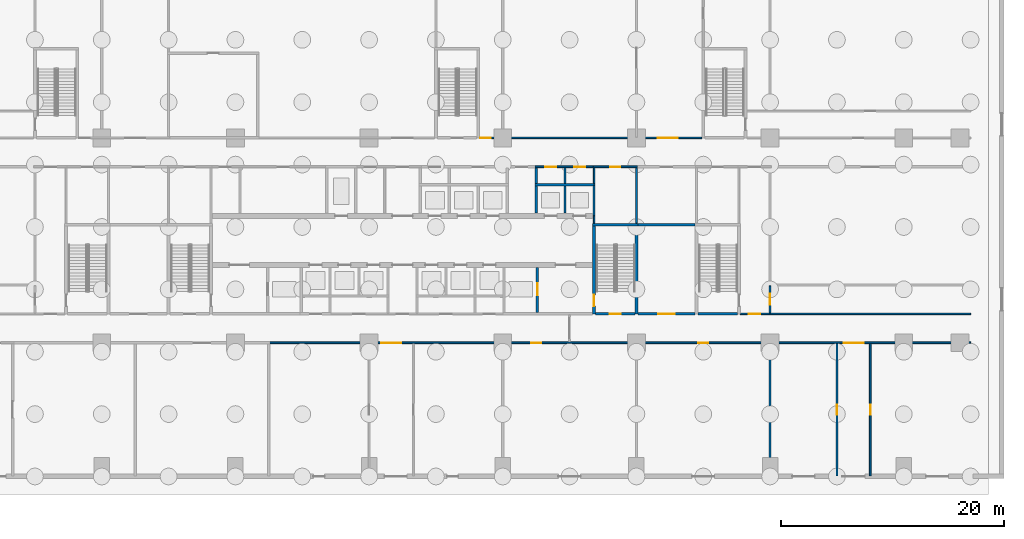
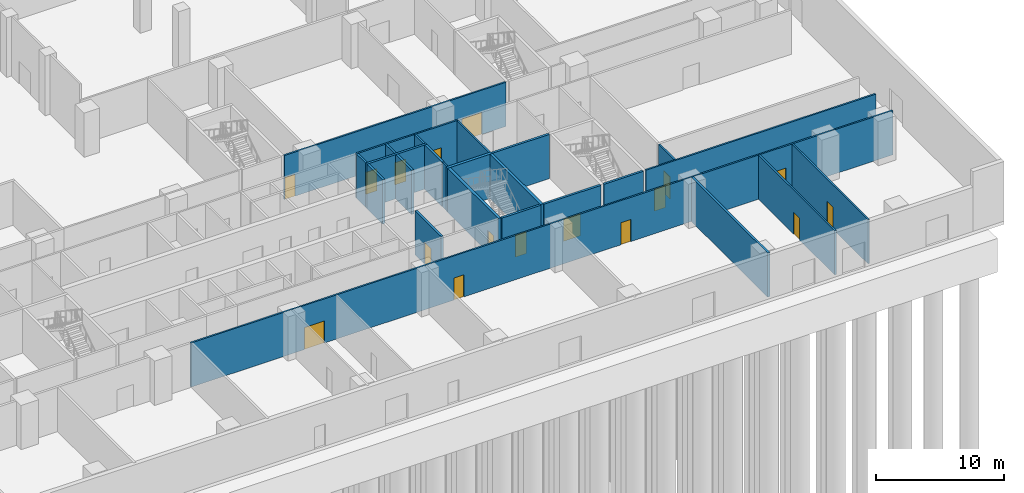
# One storey, part 20 of 27: 26 walls, 17 doors, 17 openings.
"""IFC4 building model written with IfcOpenShell, lengths in metres."""

from ifc_helpers import new_model, si_unit, direction, frame, frame_2d, origin, place, context, subcontext, project, spatial, rectangle, extrude, material, layer, layer_set, type_object, element, fill, save


model = new_model("IFC4")

# Units and contexts
model_context = context("Model", 3, precision=1e-05, world=origin(), true_north=direction((0.0, 1.0)))
body_context = subcontext(model_context, "Body", "Model", "MODEL_VIEW")
ifc_project = project(units=[si_unit("LENGTHUNIT", "METRE"), si_unit("AREAUNIT", "SQUARE_METRE"), si_unit("VOLUMEUNIT", "CUBIC_METRE"), si_unit("PLANEANGLEUNIT", "RADIAN"), si_unit("MASSUNIT", "GRAM", prefix="KILO")], contexts=[model_context])

# Site, building, storey
site_placement = place(None, origin())
site = spatial("IfcSite", under=ifc_project, at=site_placement, CompositionType="ELEMENT")
building_placement = place(site_placement, origin())
building = spatial("IfcBuilding", under=site, at=building_placement, Name="Poui Terraces", CompositionType="ELEMENT")
storey_placement = place(building_placement, origin())
storey = spatial("IfcBuildingStorey", under=building, at=storey_placement, Name="L00", CompositionType="ELEMENT", Elevation=0.0)

# Walls
ifc_material_1 = material(Name="Fire-rated masonry wall", Category="masonry")
ifc_layer_1 = layer(ifc_material_1, 0.199951171875)
ifc_layer_set_1 = layer_set([ifc_layer_1], Name="Fire-rated masonry wall")
wall_type_1 = type_object("IfcWallType", Name="COMPARTMENT WALL 200", PredefinedType="PARTITIONING", material=ifc_layer_set_1)
wall_1_placement = place(storey_placement, frame((65.60009765625, 26.300048828125, 0.0), z_axis=(0.0, 0.0, 1.0), x_axis=(0.0, 1.0, 0.0)))
element("IfcWall", 1, at=wall_1_placement, inside=storey, type_object=wall_type_1, Name="COMPARTMENT WALL 200", PredefinedType="PARTITIONING", context=body_context, shape_type="SweptSolid", body=[
    extrude(rectangle(XDim=1.425048828125, YDim=0.199951171875, at=frame_2d((0.71240234375, 0.0))), origin(), (0.0, 0.0, 1.0), 4.199951171875),
])
wall_2_placement = place(storey_placement, frame((84.0, 0.06005859375, 0.0), z_axis=(0.0, 0.0, 1.0), x_axis=(0.0, 1.0, 0.0)))
element("IfcWall", 2, at=wall_2_placement, inside=storey, type_object=wall_type_1, Name="COMPARTMENT WALL 200", PredefinedType="PARTITIONING", context=body_context, shape_type="SweptSolid", body=[
    extrude(rectangle(XDim=11.864990234375, YDim=0.199951171875, at=frame_2d((5.9326171875, 0.0))), origin(), (0.0, 0.0, 1.0), 4.199951171875),
])

# Wall, openings, doors
ifc_material_2 = material(Name="Fire-rated plasterboard wall")
ifc_layer_2 = layer(ifc_material_2, 0.14990234375)
ifc_layer_set_2 = layer_set([ifc_layer_2], Name="Fire-rated plasterboard wall")
wall_type_2 = type_object("IfcWallType", Name="CORRIDOR WALL 150", PredefinedType="PARTITIONING", material=ifc_layer_set_2)
wall_3_placement = place(storey_placement, frame((38.89990234375, 12.0, 0.0), z_axis=(0.0, 0.0, 1.0), x_axis=(1.0, 0.0, 0.0)))
wall_3 = element("IfcWall", 3, at=wall_3_placement, inside=storey, type_object=wall_type_2, Name="CORRIDOR WALL 150", PredefinedType="PARTITIONING", context=body_context, shape_type="SweptSolid", body=[
    extrude(rectangle(XDim=63.10009765625, YDim=0.14990234375, at=frame_2d((31.550048828125, 0.0))), origin(), (0.0, 0.0, 1.0), 4.199951171875),
])
opening_1_placement = place(wall_3_placement, frame((10.199951171875, 0.0, 0.0)))
opening_1 = element("IfcOpeningElement", 4, at=opening_1_placement, cuts=wall_3, Name="Opening FDD60", PredefinedType="OPENING", context=body_context, shape_type="SweptSolid", body=[
    extrude(rectangle(XDim=1.800048828125, YDim=2.10009765625, at=frame_2d((0.89990234375, 1.050048828125))), frame((0.0, 0.0849609375, 0.0), z_axis=(0.0, -1.0, 0.0), x_axis=(1.0, 0.0, 0.0)), (0.0, 0.0, 1.0), 0.169921875),
])
opening_2_placement = place(wall_3_placement, frame((23.64990234375, 0.0, 0.0)))
opening_2 = element("IfcOpeningElement", 5, at=opening_2_placement, cuts=wall_3, Name="Opening D90", PredefinedType="OPENING", context=body_context, shape_type="SweptSolid", body=[
    extrude(rectangle(XDim=0.89990234375, YDim=2.10009765625, at=frame_2d((0.449951171875, 1.050048828125))), frame((0.0, 0.0849609375, 0.0), z_axis=(0.0, -1.0, 0.0), x_axis=(1.0, 0.0, 0.0)), (0.0, 0.0, 1.0), 0.169921875),
])
opening_3_placement = place(wall_3_placement, frame((38.64990234375, 0.0, 0.0)))
opening_3 = element("IfcOpeningElement", 6, at=opening_3_placement, cuts=wall_3, Name="Opening D90", PredefinedType="OPENING", context=body_context, shape_type="SweptSolid", body=[
    extrude(rectangle(XDim=0.89990234375, YDim=2.10009765625, at=frame_2d((0.449951171875, 1.050048828125))), frame((0.0, 0.0849609375, 0.0), z_axis=(0.0, -1.0, 0.0), x_axis=(1.0, 0.0, 0.0)), (0.0, 0.0, 1.0), 0.169921875),
])
opening_4_placement = place(wall_3_placement, frame((51.699951171875, 0.0, 0.0)))
opening_4 = element("IfcOpeningElement", 7, at=opening_4_placement, cuts=wall_3, Name="Opening FDD60", PredefinedType="OPENING", context=body_context, shape_type="SweptSolid", body=[
    extrude(rectangle(XDim=1.800048828125, YDim=2.10009765625, at=frame_2d((0.89990234375, 1.050048828125))), frame((0.0, 0.0849609375, 0.0), z_axis=(0.0, -1.0, 0.0), x_axis=(1.0, 0.0, 0.0)), (0.0, 0.0, 1.0), 0.169921875),
])
ifc_material_3 = material(Name="Steel fire door", Category="steel")
door_type_1 = type_object("IfcDoorType", Name="DOUBLE LOBBY FIRE DOOR 1800 X 2100", OperationType="DOUBLE_DOOR_SINGLE_SWING", PredefinedType="DOOR", material=ifc_material_3)
door_1_placement = place(opening_1_placement, origin())
door_1 = element("IfcDoor", 8, at=door_1_placement, inside=storey, type_object=door_type_1, Name="DOUBLE LOBBY FIRE DOOR 052", OperationType="DOUBLE_DOOR_SINGLE_SWING", OverallHeight=2.10009765625, OverallWidth=1.800048828125, PredefinedType="DOOR", context=body_context, shape_type="SweptSolid", body=[
    extrude(rectangle(XDim=1.800048828125, YDim=2.10009765625, at=frame_2d((0.89990234375, 1.050048828125))), frame((0.0, 0.02490234375, 0.0), z_axis=(0.0, -1.0, 0.0), x_axis=(1.0, 0.0, 0.0)), (0.0, 0.0, 1.0), 0.050048828125),
])
fill(opening_1, door_1)
door_2_placement = place(opening_4_placement, origin())
door_2 = element("IfcDoor", 9, at=door_2_placement, inside=storey, type_object=door_type_1, Name="DOUBLE LOBBY FIRE DOOR 062", OperationType="DOUBLE_DOOR_SINGLE_SWING", OverallHeight=2.10009765625, OverallWidth=1.800048828125, PredefinedType="DOOR", context=body_context, shape_type="SweptSolid", body=[
    extrude(rectangle(XDim=1.800048828125, YDim=2.10009765625, at=frame_2d((0.89990234375, 1.050048828125))), frame((0.0, 0.02490234375, 0.0), z_axis=(0.0, -1.0, 0.0), x_axis=(1.0, 0.0, 0.0)), (0.0, 0.0, 1.0), 0.050048828125),
])
fill(opening_4, door_2)
ifc_material_4 = material(Name="Solid core timber door", Category="wood")
door_type_2 = type_object("IfcDoorType", Name="INTERNAL DOOR 900 X 2100", OperationType="NOTDEFINED", PredefinedType="DOOR", material=ifc_material_4)
door_3_placement = place(opening_2_placement, origin())
door_3 = element("IfcDoor", 10, at=door_3_placement, inside=storey, type_object=door_type_2, Name="INTERNAL DOOR 056", OperationType="SINGLE_SWING_LEFT", OverallHeight=2.10009765625, OverallWidth=0.89990234375, PredefinedType="DOOR", context=body_context, shape_type="SweptSolid", body=[
    extrude(rectangle(XDim=0.89990234375, YDim=2.10009765625, at=frame_2d((0.449951171875, 1.050048828125))), frame((0.0, 0.02490234375, 0.0), z_axis=(0.0, -1.0, 0.0), x_axis=(1.0, 0.0, 0.0)), (0.0, 0.0, 1.0), 0.050048828125),
])
fill(opening_2, door_3)
door_4_placement = place(opening_3_placement, origin())
door_4 = element("IfcDoor", 11, at=door_4_placement, inside=storey, type_object=door_type_2, Name="INTERNAL DOOR 060", OperationType="SINGLE_SWING_RIGHT", OverallHeight=2.10009765625, OverallWidth=0.89990234375, PredefinedType="DOOR", context=body_context, shape_type="SweptSolid", body=[
    extrude(rectangle(XDim=0.89990234375, YDim=2.10009765625, at=frame_2d((0.449951171875, 1.050048828125))), frame((0.0, 0.02490234375, 0.0), z_axis=(0.0, -1.0, 0.0), x_axis=(1.0, 0.0, 0.0)), (0.0, 0.0, 1.0), 0.050048828125),
])
fill(opening_3, door_4)

# Wall, opening, door
wall_4_placement = place(storey_placement, frame((81.3349609375, 14.60009765625, 0.0), z_axis=(0.0, 0.0, 1.0), x_axis=(1.0, 0.0, 0.0)))
wall_4 = element("IfcWall", 12, at=wall_4_placement, inside=storey, type_object=wall_type_2, Name="CORRIDOR WALL 150", PredefinedType="PARTITIONING", context=body_context, shape_type="SweptSolid", body=[
    extrude(rectangle(XDim=20.6650390625, YDim=0.14990234375, at=frame_2d((10.33251953125, 0.0))), origin(), (0.0, 0.0, 1.0), 4.199951171875),
])
opening_5_placement = place(wall_4_placement, frame((0.764892578125, 0.0, 0.0)))
opening_5 = element("IfcOpeningElement", 13, at=opening_5_placement, cuts=wall_4, Name="Opening FDL", PredefinedType="OPENING", context=body_context, shape_type="SweptSolid", body=[
    extrude(rectangle(XDim=1.0, YDim=2.10009765625, at=frame_2d((0.5, 1.050048828125))), frame((0.0, 0.0849609375, 0.0), z_axis=(0.0, -1.0, 0.0), x_axis=(1.0, 0.0, 0.0)), (0.0, 0.0, 1.0), 0.169921875),
])
door_type_3 = type_object("IfcDoorType", Name="LOBBY FIRE DOOR 1000 X 2100", OperationType="NOTDEFINED", PredefinedType="DOOR", material=ifc_material_3)
door_5_placement = place(opening_5_placement, frame((1.0, 0.0, 0.0), z_axis=(0.0, 0.0, 1.0), x_axis=(-1.0, 0.0, 0.0)))
door_5 = element("IfcDoor", 14, at=door_5_placement, inside=storey, type_object=door_type_3, Name="LOBBY FIRE DOOR 061", OperationType="SINGLE_SWING_RIGHT", OverallHeight=2.10009765625, OverallWidth=1.0, PredefinedType="DOOR", context=body_context, shape_type="SweptSolid", body=[
    extrude(rectangle(XDim=1.0, YDim=2.10009765625, at=frame_2d((0.5, 1.050048828125))), frame((0.0, 0.02490234375, 0.0), z_axis=(0.0, -1.0, 0.0), x_axis=(1.0, 0.0, 0.0)), (0.0, 0.0, 1.0), 0.050048828125),
])
fill(opening_5, door_5)

# Wall, openings, doors
wall_5_placement = place(storey_placement, frame((62.89990234375, 27.800048828125, 0.0), z_axis=(0.0, 0.0, 1.0), x_axis=(1.0, 0.0, 0.0)))
wall_5 = element("IfcWall", 15, at=wall_5_placement, inside=storey, type_object=wall_type_2, Name="CORRIDOR WALL 150", PredefinedType="PARTITIONING", context=body_context, shape_type="SweptSolid", body=[
    extrude(rectangle(XDim=5.375, YDim=0.14990234375, at=frame_2d((2.6875, 0.0))), origin(), (0.0, 0.0, 1.0), 4.199951171875),
])
opening_6_placement = place(wall_5_placement, frame((0.89990234375, 0.0, 0.0)))
opening_6 = element("IfcOpeningElement", 16, at=opening_6_placement, cuts=wall_5, Name="Opening FD60", PredefinedType="OPENING", context=body_context, shape_type="SweptSolid", body=[
    extrude(rectangle(XDim=1.0, YDim=2.10009765625, at=frame_2d((0.5, 1.050048828125))), frame((0.0, 0.0849609375, 0.0), z_axis=(0.0, -1.0, 0.0), x_axis=(1.0, 0.0, 0.0)), (0.0, 0.0, 1.0), 0.169921875),
])
opening_7_placement = place(wall_5_placement, frame((3.5, 0.0, 0.0)))
opening_7 = element("IfcOpeningElement", 17, at=opening_7_placement, cuts=wall_5, Name="Opening FD60", PredefinedType="OPENING", context=body_context, shape_type="SweptSolid", body=[
    extrude(rectangle(XDim=1.0, YDim=2.10009765625, at=frame_2d((0.5, 1.050048828125))), frame((0.0, 0.0849609375, 0.0), z_axis=(0.0, -1.0, 0.0), x_axis=(1.0, 0.0, 0.0)), (0.0, 0.0, 1.0), 0.169921875),
])
door_type_4 = type_object("IfcDoorType", Name="SERVICE ROOM FIRE DOOR 1000 X 2100", OperationType="NOTDEFINED", PredefinedType="DOOR", material=ifc_material_3)
door_6_placement = place(opening_6_placement, origin())
door_6 = element("IfcDoor", 18, at=door_6_placement, inside=storey, type_object=door_type_4, Name="SERVICE ROOM FIRE DOOR 035", OperationType="SINGLE_SWING_RIGHT", OverallHeight=2.10009765625, OverallWidth=1.0, PredefinedType="DOOR", context=body_context, shape_type="SweptSolid", body=[
    extrude(rectangle(XDim=1.0, YDim=2.10009765625, at=frame_2d((0.5, 1.050048828125))), frame((0.0, 0.02490234375, 0.0), z_axis=(0.0, -1.0, 0.0), x_axis=(1.0, 0.0, 0.0)), (0.0, 0.0, 1.0), 0.050048828125),
])
fill(opening_6, door_6)
door_7_placement = place(opening_7_placement, origin())
door_7 = element("IfcDoor", 19, at=door_7_placement, inside=storey, type_object=door_type_4, Name="SERVICE ROOM FIRE DOOR 036", OperationType="SINGLE_SWING_LEFT", OverallHeight=2.10009765625, OverallWidth=1.0, PredefinedType="DOOR", context=body_context, shape_type="SweptSolid", body=[
    extrude(rectangle(XDim=1.0, YDim=2.10009765625, at=frame_2d((0.5, 1.050048828125))), frame((0.0, 0.02490234375, 0.0), z_axis=(0.0, -1.0, 0.0), x_axis=(1.0, 0.0, 0.0)), (0.0, 0.0, 1.0), 0.050048828125),
])
fill(opening_7, door_7)

wall_6_placement = place(storey_placement, frame((57.93505859375, 30.39990234375, 0.0), z_axis=(0.0, 0.0, 1.0), x_axis=(1.0, 0.0, 0.0)))
wall_6 = element("IfcWall", 20, at=wall_6_placement, inside=storey, type_object=wall_type_2, Name="CORRIDOR WALL 150", PredefinedType="PARTITIONING", context=body_context, shape_type="SweptSolid", body=[
    extrude(rectangle(XDim=19.929931640625, YDim=0.14990234375, at=frame_2d((9.96484375, 0.0))), origin(), (0.0, 0.0, 1.0), 4.199951171875),
])
opening_8_placement = place(wall_6_placement, frame((0.06494140625, 0.0, 0.0)))
opening_8 = element("IfcOpeningElement", 21, at=opening_8_placement, cuts=wall_6, Name="Opening D90", PredefinedType="OPENING", context=body_context, shape_type="SweptSolid", body=[
    extrude(rectangle(XDim=0.89990234375, YDim=2.10009765625, at=frame_2d((0.449951171875, 1.050048828125))), frame((0.0, 0.0849609375, 0.0), z_axis=(0.0, -1.0, 0.0), x_axis=(1.0, 0.0, 0.0)), (0.0, 0.0, 1.0), 0.169921875),
])
opening_9_placement = place(wall_6_placement, frame((15.965087890625, 0.0, 0.0)))
opening_9 = element("IfcOpeningElement", 22, at=opening_9_placement, cuts=wall_6, Name="Opening DD180", PredefinedType="OPENING", context=body_context, shape_type="SweptSolid", body=[
    extrude(rectangle(XDim=1.800048828125, YDim=2.10009765625, at=frame_2d((0.89990234375, 1.050048828125))), frame((0.0, 0.0849609375, 0.0), z_axis=(0.0, -1.0, 0.0), x_axis=(1.0, 0.0, 0.0)), (0.0, 0.0, 1.0), 0.169921875),
])
door_type_5 = type_object("IfcDoorType", Name="DOUBLE INTERNAL DOOR 1800 X 2100", OperationType="DOUBLE_DOOR_SINGLE_SWING", PredefinedType="DOOR", material=ifc_material_3)
door_8_placement = place(opening_9_placement, frame((1.800048828125, 0.0, 0.0), z_axis=(0.0, 0.0, 1.0), x_axis=(-1.0, 0.0, 0.0)))
door_8 = element("IfcDoor", 23, at=door_8_placement, inside=storey, type_object=door_type_5, Name="DOUBLE INTERNAL DOOR 039", OperationType="DOUBLE_DOOR_SINGLE_SWING", OverallHeight=2.10009765625, OverallWidth=1.800048828125, PredefinedType="DOOR", context=body_context, shape_type="SweptSolid", body=[
    extrude(rectangle(XDim=1.800048828125, YDim=2.10009765625, at=frame_2d((0.89990234375, 1.050048828125))), frame((0.0, 0.02490234375, 0.0), z_axis=(0.0, -1.0, 0.0), x_axis=(1.0, 0.0, 0.0)), (0.0, 0.0, 1.0), 0.050048828125),
])
fill(opening_9, door_8)
door_9_placement = place(opening_8_placement, frame((0.89990234375, 0.0, 0.0), z_axis=(0.0, 0.0, 1.0), x_axis=(-1.0, 0.0, 0.0)))
door_9 = element("IfcDoor", 24, at=door_9_placement, inside=storey, type_object=door_type_2, Name="INTERNAL DOOR 033", OperationType="SINGLE_SWING_LEFT", OverallHeight=2.10009765625, OverallWidth=0.89990234375, PredefinedType="DOOR", context=body_context, shape_type="SweptSolid", body=[
    extrude(rectangle(XDim=0.89990234375, YDim=2.10009765625, at=frame_2d((0.449951171875, 1.050048828125))), frame((0.0, 0.02490234375, 0.0), z_axis=(0.0, -1.0, 0.0), x_axis=(1.0, 0.0, 0.0)), (0.0, 0.0, 1.0), 0.050048828125),
])
fill(opening_8, door_9)

# Wall, opening, door
wall_7_placement = place(storey_placement, frame((84.0, 14.675048828125, 0.0), z_axis=(0.0, 0.0, 1.0), x_axis=(0.0, 1.0, 0.0)))
wall_7 = element("IfcWall", 25, at=wall_7_placement, inside=storey, type_object=wall_type_2, Name="CORRIDOR WALL 150", PredefinedType="PARTITIONING", context=body_context, shape_type="SweptSolid", body=[
    extrude(rectangle(XDim=2.425048828125, YDim=0.14990234375, at=frame_2d((1.21240234375, 0.0))), origin(), (0.0, 0.0, 1.0), 4.199951171875),
])
opening_10_placement = place(wall_7_placement, frame((0.72509765625, 0.0, 0.0)))
opening_10 = element("IfcOpeningElement", 26, at=opening_10_placement, cuts=wall_7, Name="Opening FDL", PredefinedType="OPENING", context=body_context, shape_type="SweptSolid", body=[
    extrude(rectangle(XDim=1.0, YDim=2.10009765625, at=frame_2d((0.5, 1.050048828125))), frame((0.0, 0.0849609375, 0.0), z_axis=(0.0, -1.0, 0.0), x_axis=(1.0, 0.0, 0.0)), (0.0, 0.0, 1.0), 0.169921875),
])
door_10_placement = place(opening_10_placement, origin())
door_10 = element("IfcDoor", 27, at=door_10_placement, inside=storey, type_object=door_type_3, Name="LOBBY FIRE DOOR 112", OperationType="SINGLE_SWING_RIGHT", OverallHeight=2.10009765625, OverallWidth=1.0, PredefinedType="DOOR", context=body_context, shape_type="SweptSolid", body=[
    extrude(rectangle(XDim=1.0, YDim=2.10009765625, at=frame_2d((0.5, 1.050048828125))), frame((0.0, 0.02490234375, 0.0), z_axis=(0.0, -1.0, 0.0), x_axis=(1.0, 0.0, 0.0)), (0.0, 0.0, 1.0), 0.050048828125),
])
fill(opening_10, door_10)

wall_8_placement = place(storey_placement, frame((90.0, 0.06005859375, 0.0), z_axis=(0.0, 0.0, 1.0), x_axis=(0.0, 1.0, 0.0)))
wall_8 = element("IfcWall", 28, at=wall_8_placement, inside=storey, type_object=wall_type_2, Name="CORRIDOR WALL 150", PredefinedType="PARTITIONING", context=body_context, shape_type="SweptSolid", body=[
    extrude(rectangle(XDim=11.864990234375, YDim=0.14990234375, at=frame_2d((5.9326171875, 0.0))), origin(), (0.0, 0.0, 1.0), 4.199951171875),
])
opening_11_placement = place(wall_8_placement, frame((5.489990234375, 0.0, 0.0)))
opening_11 = element("IfcOpeningElement", 29, at=opening_11_placement, cuts=wall_8, Name="Opening D90", PredefinedType="OPENING", context=body_context, shape_type="SweptSolid", body=[
    extrude(rectangle(XDim=0.89990234375, YDim=2.10009765625, at=frame_2d((0.449951171875, 1.050048828125))), frame((0.0, 0.0849609375, 0.0), z_axis=(0.0, -1.0, 0.0), x_axis=(1.0, 0.0, 0.0)), (0.0, 0.0, 1.0), 0.169921875),
])
door_11_placement = place(opening_11_placement, frame((0.89990234375, 0.0, 0.0), z_axis=(0.0, 0.0, 1.0), x_axis=(-1.0, 0.0, 0.0)))
door_11 = element("IfcDoor", 30, at=door_11_placement, inside=storey, type_object=door_type_2, Name="INTERNAL DOOR 011", OperationType="SINGLE_SWING_LEFT", OverallHeight=2.10009765625, OverallWidth=0.89990234375, PredefinedType="DOOR", context=body_context, shape_type="SweptSolid", body=[
    extrude(rectangle(XDim=0.89990234375, YDim=2.10009765625, at=frame_2d((0.449951171875, 1.050048828125))), frame((0.0, 0.02490234375, 0.0), z_axis=(0.0, -1.0, 0.0), x_axis=(1.0, 0.0, 0.0)), (0.0, 0.0, 1.0), 0.050048828125),
])
fill(opening_11, door_11)

wall_9_placement = place(storey_placement, frame((93.0, 0.06005859375, 0.0), z_axis=(0.0, 0.0, 1.0), x_axis=(0.0, 1.0, 0.0)))
wall_9 = element("IfcWall", 31, at=wall_9_placement, inside=storey, type_object=wall_type_2, Name="CORRIDOR WALL 150", PredefinedType="PARTITIONING", context=body_context, shape_type="SweptSolid", body=[
    extrude(rectangle(XDim=11.864990234375, YDim=0.14990234375, at=frame_2d((5.9326171875, 0.0))), origin(), (0.0, 0.0, 1.0), 4.199951171875),
])
opening_12_placement = place(wall_9_placement, frame((5.489990234375, 0.0, 0.0)))
opening_12 = element("IfcOpeningElement", 32, at=opening_12_placement, cuts=wall_9, Name="Opening D90", PredefinedType="OPENING", context=body_context, shape_type="SweptSolid", body=[
    extrude(rectangle(XDim=0.89990234375, YDim=2.10009765625, at=frame_2d((0.449951171875, 1.050048828125))), frame((0.0, 0.0849609375, 0.0), z_axis=(0.0, -1.0, 0.0), x_axis=(1.0, 0.0, 0.0)), (0.0, 0.0, 1.0), 0.169921875),
])
door_12_placement = place(opening_12_placement, origin())
door_12 = element("IfcDoor", 33, at=door_12_placement, inside=storey, type_object=door_type_2, Name="INTERNAL DOOR 013", OperationType="SINGLE_SWING_RIGHT", OverallHeight=2.10009765625, OverallWidth=0.89990234375, PredefinedType="DOOR", context=body_context, shape_type="SweptSolid", body=[
    extrude(rectangle(XDim=0.89990234375, YDim=2.10009765625, at=frame_2d((0.449951171875, 1.050048828125))), frame((0.0, 0.02490234375, 0.0), z_axis=(0.0, -1.0, 0.0), x_axis=(1.0, 0.0, 0.0)), (0.0, 0.0, 1.0), 0.050048828125),
])
fill(opening_12, door_12)

ifc_layer_3 = layer(ifc_material_1, 0.199951171875)
ifc_layer_set_3 = layer_set([ifc_layer_3], Name="Fire-rated masonry wall")
wall_type_3 = type_object("IfcWallType", Name="PLANT ROOM WALL 200", PredefinedType="PARTITIONING", material=ifc_layer_set_3)
wall_10_placement = place(storey_placement, frame((72.135009765625, 14.60009765625, 0.0), z_axis=(0.0, 0.0, 1.0), x_axis=(1.0, 0.0, 0.0)))
wall_10 = element("IfcWall", 34, at=wall_10_placement, inside=storey, type_object=wall_type_3, Name="PLANT ROOM WALL 200", PredefinedType="PARTITIONING", context=body_context, shape_type="SweptSolid", body=[
    extrude(rectangle(XDim=5.1298828125, YDim=0.199951171875, at=frame_2d((2.56494140625, 0.0))), origin(), (0.0, 0.0, 1.0), 4.199951171875),
])
opening_13_placement = place(wall_10_placement, frame((1.81494140625, 0.0, 0.0)))
opening_13 = element("IfcOpeningElement", 35, at=opening_13_placement, cuts=wall_10, Name="Opening FDP", PredefinedType="OPENING", context=body_context, shape_type="SweptSolid", body=[
    extrude(rectangle(XDim=1.5, YDim=2.10009765625, at=frame_2d((0.75, 1.050048828125))), frame((0.0, 0.10986328125, 0.0), z_axis=(0.0, -1.0, 0.0), x_axis=(1.0, 0.0, 0.0)), (0.0, 0.0, 1.0), 0.219970703125),
])
door_type_6 = type_object("IfcDoorType", Name="PLANT ROOM DOOR PAIR 1500 X 2100", OperationType="DOUBLE_DOOR_SINGLE_SWING", PredefinedType="DOOR", material=ifc_material_3)
door_13_placement = place(opening_13_placement, frame((1.5, 0.0, 0.0), z_axis=(0.0, 0.0, 1.0), x_axis=(-1.0, 0.0, 0.0)))
door_13 = element("IfcDoor", 36, at=door_13_placement, inside=storey, type_object=door_type_6, Name="PLANT ROOM DOOR PAIR 059", OperationType="DOUBLE_DOOR_SINGLE_SWING", OverallHeight=2.10009765625, OverallWidth=1.5, PredefinedType="DOOR", context=body_context, shape_type="SweptSolid", body=[
    extrude(rectangle(XDim=1.5, YDim=2.10009765625, at=frame_2d((0.75, 1.050048828125))), frame((0.0, 0.02490234375, 0.0), z_axis=(0.0, -1.0, 0.0), x_axis=(1.0, 0.0, 0.0)), (0.0, 0.0, 1.0), 0.050048828125),
])
fill(opening_13, door_13)

# Walls
wall_11_placement = place(storey_placement, frame((72.135009765625, 22.60009765625, 0.0), z_axis=(0.0, 0.0, 1.0), x_axis=(1.0, 0.0, 0.0)))
element("IfcWall", 37, at=wall_11_placement, inside=storey, type_object=wall_type_3, Name="PLANT ROOM WALL 200", PredefinedType="PARTITIONING", context=body_context, shape_type="SweptSolid", body=[
    extrude(rectangle(XDim=5.1298828125, YDim=0.199951171875, at=frame_2d((2.56494140625, 0.0))), origin(), (0.0, 0.0, 1.0), 4.199951171875),
])
wall_12_placement = place(storey_placement, frame((63.0, 26.300048828125, 0.0), z_axis=(0.0, 0.0, 1.0), x_axis=(0.0, 1.0, 0.0)))
element("IfcWall", 38, at=wall_12_placement, inside=storey, type_object=wall_type_3, Name="PLANT ROOM WALL 200", PredefinedType="PARTITIONING", context=body_context, shape_type="SweptSolid", body=[
    extrude(rectangle(XDim=1.39990234375, YDim=0.199951171875, at=frame_2d((0.699951171875, 0.0))), origin(), (0.0, 0.0, 1.0), 4.199951171875),
])

# Wall, opening, door
ifc_material_5 = material(Name="Fire-rated plasterboard riser wall")
ifc_layer_4 = layer(ifc_material_5, 0.14990234375)
ifc_layer_set_4 = layer_set([ifc_layer_4], Name="Fire-rated plasterboard riser wall")
wall_type_4 = type_object("IfcWallType", Name="RISER WALL 150", PredefinedType="PARTITIONING", material=ifc_layer_set_4)
wall_13_placement = place(storey_placement, frame((68.125, 27.800048828125, 0.0), z_axis=(0.0, 0.0, 1.0), x_axis=(1.0, 0.0, 0.0)))
wall_13 = element("IfcWall", 39, at=wall_13_placement, inside=storey, type_object=wall_type_4, Name="RISER WALL 150", PredefinedType="PARTITIONING", context=body_context, shape_type="SweptSolid", body=[
    extrude(rectangle(XDim=3.949951171875, YDim=0.14990234375, at=frame_2d((1.97509765625, 0.0))), origin(), (0.0, 0.0, 1.0), 4.199951171875),
])
opening_14_placement = place(wall_13_placement, frame((1.52490234375, 0.0, 0.0)))
opening_14 = element("IfcOpeningElement", 40, at=opening_14_placement, cuts=wall_13, Name="Opening FDR", PredefinedType="OPENING", context=body_context, shape_type="SweptSolid", body=[
    extrude(rectangle(XDim=0.89990234375, YDim=2.10009765625, at=frame_2d((0.449951171875, 1.050048828125))), frame((0.0, 0.0849609375, 0.0), z_axis=(0.0, -1.0, 0.0), x_axis=(1.0, 0.0, 0.0)), (0.0, 0.0, 1.0), 0.169921875),
])
door_type_7 = type_object("IfcDoorType", Name="RISER CUPBOARD DOOR 900 X 2100", OperationType="NOTDEFINED", PredefinedType="DOOR", material=ifc_material_3)
door_14_placement = place(opening_14_placement, origin())
door_14 = element("IfcDoor", 41, at=door_14_placement, inside=storey, type_object=door_type_7, Name="RISER CUPBOARD DOOR 037", OperationType="SINGLE_SWING_LEFT", OverallHeight=2.10009765625, OverallWidth=0.89990234375, PredefinedType="DOOR", context=body_context, shape_type="SweptSolid", body=[
    extrude(rectangle(XDim=0.89990234375, YDim=2.10009765625, at=frame_2d((0.449951171875, 1.050048828125))), frame((0.0, 0.02490234375, 0.0), z_axis=(0.0, -1.0, 0.0), x_axis=(1.0, 0.0, 0.0)), (0.0, 0.0, 1.0), 0.050048828125),
])
fill(opening_14, door_14)

# Walls
wall_14_placement = place(storey_placement, frame((68.199951171875, 22.735107421875, 0.0), z_axis=(0.0, 0.0, 1.0), x_axis=(0.0, 1.0, 0.0)))
element("IfcWall", 42, at=wall_14_placement, inside=storey, type_object=wall_type_4, Name="RISER WALL 150", PredefinedType="PARTITIONING", context=body_context, shape_type="SweptSolid", body=[
    extrude(rectangle(XDim=0.664794921875, YDim=0.14990234375, at=frame_2d((0.33251953125, 0.0))), origin(), (0.0, 0.0, 1.0), 4.199951171875),
])
wall_15_placement = place(storey_placement, frame((68.199951171875, 26.300048828125, 0.0), z_axis=(0.0, 0.0, 1.0), x_axis=(0.0, 1.0, 0.0)))
element("IfcWall", 43, at=wall_15_placement, inside=storey, type_object=wall_type_4, Name="RISER WALL 150", PredefinedType="PARTITIONING", context=body_context, shape_type="SweptSolid", body=[
    extrude(rectangle(XDim=1.425048828125, YDim=0.14990234375, at=frame_2d((0.71240234375, 0.0))), origin(), (0.0, 0.0, 1.0), 4.199951171875),
])
wall_16_placement = place(storey_placement, frame((72.0, 22.735107421875, 0.0), z_axis=(0.0, 0.0, 1.0), x_axis=(0.0, 1.0, 0.0)))
element("IfcWall", 44, at=wall_16_placement, inside=storey, type_object=wall_type_4, Name="RISER WALL 150", PredefinedType="PARTITIONING", context=body_context, shape_type="SweptSolid", body=[
    extrude(rectangle(XDim=4.96484375, YDim=0.14990234375, at=frame_2d((2.482421875, 0.0))), origin(), (0.0, 0.0, 1.0), 4.199951171875),
])
ifc_material_6 = material(Name="Fire-rated masonry shaft wall", Category="masonry")
ifc_layer_5 = layer(ifc_material_6, 0.199951171875)
ifc_layer_set_5 = layer_set([ifc_layer_5], Name="Fire-rated masonry shaft wall")
wall_type_5 = type_object("IfcWallType", Name="SHAFT WALL 200", PredefinedType="PARTITIONING", material=ifc_layer_set_5)
wall_17_placement = place(storey_placement, frame((62.89990234375, 26.199951171875, 0.0), z_axis=(0.0, 0.0, 1.0), x_axis=(1.0, 0.0, 0.0)))
element("IfcWall", 45, at=wall_17_placement, inside=storey, type_object=wall_type_5, Name="SHAFT WALL 200", PredefinedType="PARTITIONING", context=body_context, shape_type="SweptSolid", body=[
    extrude(rectangle(XDim=5.400146484375, YDim=0.199951171875, at=frame_2d((2.7001953125, 0.0))), origin(), (0.0, 0.0, 1.0), 4.199951171875),
])
wall_18_placement = place(storey_placement, frame((63.0, 23.635009765625, 0.0), z_axis=(0.0, 0.0, 1.0), x_axis=(0.0, 1.0, 0.0)))
element("IfcWall", 46, at=wall_18_placement, inside=storey, type_object=wall_type_5, Name="SHAFT WALL 200", PredefinedType="PARTITIONING", context=body_context, shape_type="SweptSolid", body=[
    extrude(rectangle(XDim=2.465087890625, YDim=0.199951171875, at=frame_2d((1.232421875, 0.0))), origin(), (0.0, 0.0, 1.0), 4.199951171875),
])

# Wall, opening, door
wall_19_placement = place(storey_placement, frame((63.10009765625, 14.699951171875, 0.0), z_axis=(0.0, 0.0, 1.0), x_axis=(0.0, 1.0, 0.0)))
wall_19 = element("IfcWall", 47, at=wall_19_placement, inside=storey, type_object=wall_type_5, Name="SHAFT WALL 200", PredefinedType="PARTITIONING", context=body_context, shape_type="SweptSolid", body=[
    extrude(rectangle(XDim=4.06494140625, YDim=0.199951171875, at=frame_2d((2.032470703125, 0.0))), origin(), (0.0, 0.0, 1.0), 4.199951171875),
])
opening_15_placement = place(wall_19_placement, frame((1.550048828125, 0.0, 0.0)))
opening_15 = element("IfcOpeningElement", 48, at=opening_15_placement, cuts=wall_19, Name="Opening LD", PredefinedType="OPENING", context=body_context, shape_type="SweptSolid", body=[
    extrude(rectangle(XDim=1.10009765625, YDim=2.10009765625, at=frame_2d((0.550048828125, 1.050048828125))), frame((0.0, 0.10986328125, 0.0), z_axis=(0.0, -1.0, 0.0), x_axis=(1.0, 0.0, 0.0)), (0.0, 0.0, 1.0), 0.219970703125),
])
ifc_material_7 = material(Name="Stainless steel sliding door", Category="steel")
door_type_8 = type_object("IfcDoorType", Name="LIFT LANDING DOOR 1100 X 2100", OperationType="DOUBLE_DOOR_SLIDING", PredefinedType="DOOR", material=ifc_material_7)
door_15_placement = place(opening_15_placement, origin())
door_15 = element("IfcDoor", 49, at=door_15_placement, inside=storey, type_object=door_type_8, Name="LANDING DOOR", OperationType="DOUBLE_DOOR_SLIDING", OverallHeight=2.10009765625, OverallWidth=1.10009765625, PredefinedType="DOOR", context=body_context, shape_type="SweptSolid", body=[
    extrude(rectangle(XDim=1.10009765625, YDim=2.10009765625, at=frame_2d((0.550048828125, 1.050048828125))), frame((0.0, 0.02490234375, 0.0), z_axis=(0.0, -1.0, 0.0), x_axis=(1.0, 0.0, 0.0)), (0.0, 0.0, 1.0), 0.050048828125),
])
fill(opening_15, door_15)

# Walls
wall_20_placement = place(storey_placement, frame((65.60009765625, 23.635009765625, 0.0), z_axis=(0.0, 0.0, 1.0), x_axis=(0.0, 1.0, 0.0)))
element("IfcWall", 50, at=wall_20_placement, inside=storey, type_object=wall_type_5, Name="SHAFT WALL 200", PredefinedType="PARTITIONING", context=body_context, shape_type="SweptSolid", body=[
    extrude(rectangle(XDim=2.465087890625, YDim=0.199951171875, at=frame_2d((1.232421875, 0.0))), origin(), (0.0, 0.0, 1.0), 4.199951171875),
])
wall_21_placement = place(storey_placement, frame((68.199951171875, 23.39990234375, 0.0), z_axis=(0.0, 0.0, 1.0), x_axis=(0.0, 1.0, 0.0)))
element("IfcWall", 51, at=wall_21_placement, inside=storey, type_object=wall_type_5, Name="SHAFT WALL 200", PredefinedType="PARTITIONING", context=body_context, shape_type="SweptSolid", body=[
    extrude(rectangle(XDim=2.7001953125, YDim=0.199951171875, at=frame_2d((1.35009765625, 0.0))), origin(), (0.0, 0.0, 1.0), 4.199951171875),
])

# Wall, opening, door
ifc_material_8 = material(Name="Concrete 80 MPa", Category="concrete")
ifc_layer_6 = layer(ifc_material_8, 0.25)
ifc_layer_set_6 = layer_set([ifc_layer_6], Name="Concrete 80 MPa")
wall_type_6 = type_object("IfcWallType", Name="STAIR CORE WALL 250 80 MPA", PredefinedType="SOLIDWALL", material=ifc_layer_set_6)
wall_22_placement = place(storey_placement, frame((68.199951171875, 14.60009765625, 0.0), z_axis=(0.0, 0.0, 1.0), x_axis=(0.0, 1.0, 0.0)))
wall_22 = element("IfcWall", 52, at=wall_22_placement, inside=storey, type_object=wall_type_6, Name="STAIR CORE WALL", PredefinedType="SOLIDWALL", context=body_context, shape_type="SweptSolid", body=[
    extrude(rectangle(XDim=7.875, YDim=0.25, at=frame_2d((3.9375, 0.0))), origin(), (0.0, 0.0, 1.0), 4.199951171875),
])
opening_16_placement = place(wall_22_placement, frame((0.699951171875, 0.0, 0.0)))
opening_16 = element("IfcOpeningElement", 53, at=opening_16_placement, cuts=wall_22, Name="Opening FD60S", PredefinedType="OPENING", context=body_context, shape_type="SweptSolid", body=[
    extrude(rectangle(XDim=1.0, YDim=2.10009765625, at=frame_2d((0.5, 1.050048828125))), frame((0.0, 0.135009765625, 0.0), z_axis=(0.0, -1.0, 0.0), x_axis=(1.0, 0.0, 0.0)), (0.0, 0.0, 1.0), 0.27001953125),
])
door_type_9 = type_object("IfcDoorType", Name="STAIR DOOR 1000 X 2100", OperationType="NOTDEFINED", PredefinedType="DOOR", material=ifc_material_3)
door_16_placement = place(opening_16_placement, frame((1.0, 0.0, 0.0), z_axis=(0.0, 0.0, 1.0), x_axis=(-1.0, 0.0, 0.0)))
door_16 = element("IfcDoor", 54, at=door_16_placement, inside=storey, type_object=door_type_9, Name="STAIR DOOR 092", OperationType="SINGLE_SWING_RIGHT", OverallHeight=2.10009765625, OverallWidth=1.0, PredefinedType="DOOR", context=body_context, shape_type="SweptSolid", body=[
    extrude(rectangle(XDim=1.0, YDim=2.10009765625, at=frame_2d((0.5, 1.050048828125))), frame((0.0, 0.02490234375, 0.0), z_axis=(0.0, -1.0, 0.0), x_axis=(1.0, 0.0, 0.0)), (0.0, 0.0, 1.0), 0.050048828125),
])
fill(opening_16, door_16)

# Walls
wall_23_placement = place(storey_placement, frame((72.0, 14.60009765625, 0.0), z_axis=(0.0, 0.0, 1.0), x_axis=(0.0, 1.0, 0.0)))
element("IfcWall", 55, at=wall_23_placement, inside=storey, type_object=wall_type_6, Name="STAIR CORE WALL", PredefinedType="SOLIDWALL", context=body_context, shape_type="SweptSolid", body=[
    extrude(rectangle(XDim=7.875, YDim=0.25, at=frame_2d((3.9375, 0.0))), origin(), (0.0, 0.0, 1.0), 4.199951171875),
])
wall_24_placement = place(storey_placement, frame((68.074951171875, 22.60009765625, 0.0), z_axis=(0.0, 0.0, 1.0), x_axis=(1.0, 0.0, 0.0)))
element("IfcWall", 56, at=wall_24_placement, inside=storey, type_object=wall_type_6, Name="STAIR CORE WALL", PredefinedType="SOLIDWALL", context=body_context, shape_type="SweptSolid", body=[
    extrude(rectangle(XDim=4.050048828125, YDim=0.25, at=frame_2d((2.02490234375, 0.0))), origin(), (0.0, 0.0, 1.0), 4.199951171875),
])

# Wall, opening, door
ifc_layer_7 = layer(ifc_material_1, 0.199951171875)
ifc_layer_set_7 = layer_set([ifc_layer_7], Name="Fire-rated masonry wall")
wall_type_7 = type_object("IfcWallType", Name="STAIR WALL 200", PredefinedType="PARTITIONING", material=ifc_layer_set_7)
wall_25_placement = place(storey_placement, frame((68.3349609375, 14.60009765625, 0.0), z_axis=(0.0, 0.0, 1.0), x_axis=(1.0, 0.0, 0.0)))
wall_25 = element("IfcWall", 57, at=wall_25_placement, inside=storey, type_object=wall_type_7, Name="STAIR WALL 200", PredefinedType="PARTITIONING", context=body_context, shape_type="SweptSolid", body=[
    extrude(rectangle(XDim=3.530029296875, YDim=0.199951171875, at=frame_2d((1.76513671875, 0.0))), origin(), (0.0, 0.0, 1.0), 4.199951171875),
])
opening_17_placement = place(wall_25_placement, frame((1.264892578125, 0.0, 0.0)))
opening_17 = element("IfcOpeningElement", 58, at=opening_17_placement, cuts=wall_25, Name="Opening FD60S", PredefinedType="OPENING", context=body_context, shape_type="SweptSolid", body=[
    extrude(rectangle(XDim=1.0, YDim=2.10009765625, at=frame_2d((0.5, 1.050048828125))), frame((0.0, 0.10986328125, 0.0), z_axis=(0.0, -1.0, 0.0), x_axis=(1.0, 0.0, 0.0)), (0.0, 0.0, 1.0), 0.219970703125),
])
door_17_placement = place(opening_17_placement, origin())
door_17 = element("IfcDoor", 59, at=door_17_placement, inside=storey, type_object=door_type_9, Name="STAIR DOOR 058", OperationType="SINGLE_SWING_LEFT", OverallHeight=2.10009765625, OverallWidth=1.0, PredefinedType="DOOR", context=body_context, shape_type="SweptSolid", body=[
    extrude(rectangle(XDim=1.0, YDim=2.10009765625, at=frame_2d((0.5, 1.050048828125))), frame((0.0, 0.02490234375, 0.0), z_axis=(0.0, -1.0, 0.0), x_axis=(1.0, 0.0, 0.0)), (0.0, 0.0, 1.0), 0.050048828125),
])
fill(opening_17, door_17)

# Wall
wall_26_placement = place(storey_placement, frame((77.534912109375, 14.60009765625, 0.0), z_axis=(0.0, 0.0, 1.0), x_axis=(1.0, 0.0, 0.0)))
element("IfcWall", 60, at=wall_26_placement, inside=storey, type_object=wall_type_7, Name="STAIR WALL 200", PredefinedType="PARTITIONING", context=body_context, shape_type="SweptSolid", body=[
    extrude(rectangle(XDim=3.530029296875, YDim=0.199951171875, at=frame_2d((1.76513671875, 0.0))), origin(), (0.0, 0.0, 1.0), 4.199951171875),
])

save(model, "model.ifc")
